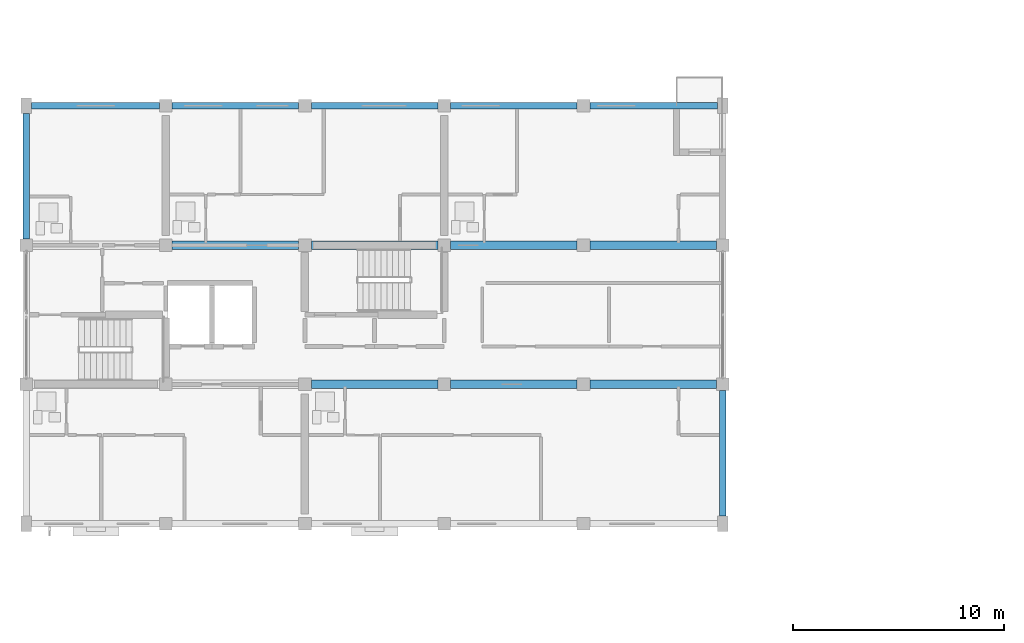
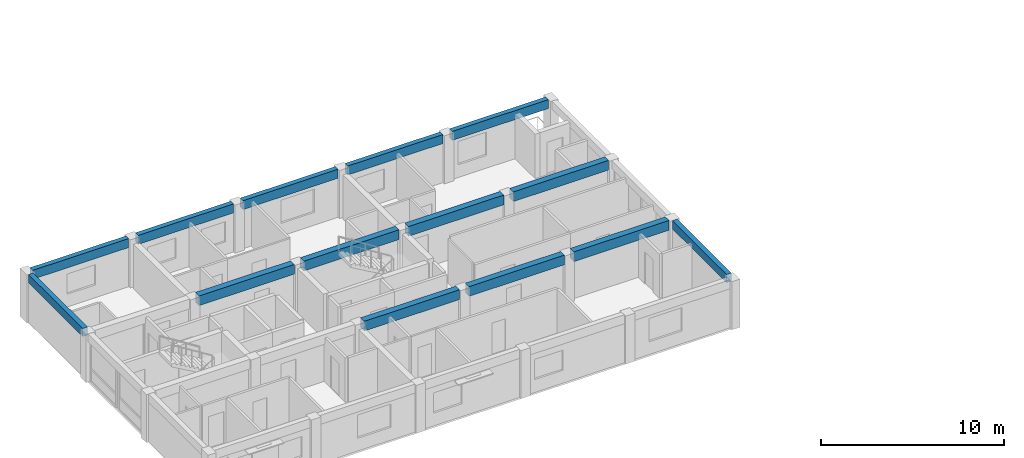
# One storey, part 16 of 52: 14 beams.
"""IFC4 building model written with IfcOpenShell, lengths in metres."""

from ifc_helpers import new_model, si_unit, direction, frame, origin, origin_2d, place, context, subcontext, project, spatial, rectangle, extrude, material, material_profile, profile_set, type_object, element, save


model = new_model("IFC4")

# Units and contexts
model_context = context("Model", 3, precision=1e-05, world=origin(), true_north=direction((0.0, 1.0)))
body_context = subcontext(model_context, "Body", "Model", "MODEL_VIEW")
ifc_project = project(units=[si_unit("LENGTHUNIT", "METRE"), si_unit("AREAUNIT", "SQUARE_METRE"), si_unit("VOLUMEUNIT", "CUBIC_METRE"), si_unit("PLANEANGLEUNIT", "RADIAN"), si_unit("MASSUNIT", "GRAM", prefix="KILO")], contexts=[model_context])

# Site, building, storey
site_placement = place(None, origin())
site = spatial("IfcSite", under=ifc_project, at=site_placement, CompositionType="ELEMENT")
building_placement = place(site_placement, origin())
building = spatial("IfcBuilding", under=site, at=building_placement, Name="Kernevlak Ridge Housing Community", CompositionType="ELEMENT")
storey_placement = place(building_placement, frame((0.0, 0.0, 11.60009765625)))
storey = spatial("IfcBuildingStorey", under=building, at=storey_placement, Name="L03", CompositionType="ELEMENT", Elevation=11.60009765625)

# Beams
ifc_material = material(Name="Concrete C35/45", Category="concrete")
ifc_material_profile_1 = material_profile(ifc_material, rectangle(XDim=0.39990234375, YDim=0.64990234375, at=origin_2d()), Name="RC 400x650")
ifc_profile_set_1 = profile_set([ifc_material_profile_1], Name="Concrete C35/45")
beam_type_1 = type_object("IfcBeamType", Name="B-03", PredefinedType="T_BEAM", material=ifc_profile_set_1)
for number, where, z_axis, x_axis, name in (
    (1, (29.10009765625, 82.60009765625, 2.875), (1.0, 0.0, 0.0), (0.0, 1.0, 0.0), "Beam B-03 L03 142"),
    (2, (35.699951171875, 82.60009765625, 2.875), (1.0, 0.0, 0.0), (0.0, 1.0, 0.0), "Beam B-03 L03 143"),
    (3, (42.300048828125, 82.60009765625, 2.875), (1.0, 0.0, 0.0), (0.0, 1.0, 0.0), "Beam B-03 L03 144"),
    (4, (22.5, 89.199951171875, 2.875), (1.0, 0.0, 0.0), (0.0, 1.0, 0.0), "Beam B-03 L03 146"),
    (5, (29.10009765625, 89.199951171875, 2.875), (1.0, 0.0, 0.0), (0.0, 1.0, 0.0), "Beam B-03 L03 147"),
    (6, (35.699951171875, 89.199951171875, 2.875), (1.0, 0.0, 0.0), (0.0, 1.0, 0.0), "Beam B-03 L03 148"),
    (7, (42.300048828125, 89.199951171875, 2.875), (1.0, 0.0, 0.0), (0.0, 1.0, 0.0), "Beam B-03 L03 149"),
):
    element("IfcBeam", number, at=place(storey_placement, frame(where, z_axis=z_axis, x_axis=x_axis)), inside=storey, type_object=beam_type_1, Name=name, PredefinedType="T_BEAM", context=body_context, shape_type="SweptSolid", body=[
        extrude(rectangle(XDim=0.39990234375, YDim=0.64990234375, at=origin_2d()), origin(), (0.0, 0.0, 1.0), 6.0),
    ])
ifc_material_profile_2 = material_profile(ifc_material, rectangle(XDim=0.300048828125, YDim=0.550048828125, at=origin_2d()), Name="RC 300x550")
ifc_profile_set_2 = profile_set([ifc_material_profile_2], Name="Concrete C35/45")
beam_type_2 = type_object("IfcBeamType", Name="SP-01", PredefinedType="SPANDREL", material=ifc_profile_set_2)
for number, where, z_axis, x_axis, name in (
    (8, (15.60009765625, 89.5, 2.9248046875), (0.0, 1.0, 0.0), (-1.0, 0.0, 0.0), "Beam SP-01 L03 157"),
    (9, (48.60009765625, 76.375, 2.9248046875), (0.0, 1.0, 0.0), (-1.0, 0.0, 0.0), "Beam SP-01 L03 158"),
):
    element("IfcBeam", number, at=place(storey_placement, frame(where, z_axis=z_axis, x_axis=x_axis)), inside=storey, type_object=beam_type_2, Name=name, PredefinedType="SPANDREL", context=body_context, shape_type="SweptSolid", body=[
        extrude(rectangle(XDim=0.300048828125, YDim=0.550048828125, at=origin_2d()), origin(), (0.0, 0.0, 1.0), 5.925048828125),
    ])
ifc_material_profile_3 = material_profile(ifc_material, rectangle(XDim=0.300048828125, YDim=0.60009765625, at=origin_2d()), Name="RC 300x600")
ifc_profile_set_3 = profile_set([ifc_material_profile_3], Name="Concrete C35/45")
beam_type_3 = type_object("IfcBeamType", Name="SP-02", PredefinedType="SPANDREL", material=ifc_profile_set_3)
beam_1_placement = place(storey_placement, frame((15.85009765625, 95.800048828125, 2.89990234375), z_axis=(1.0, 0.0, 0.0), x_axis=(0.0, 1.0, 0.0)))
element("IfcBeam", 10, at=beam_1_placement, inside=storey, type_object=beam_type_3, Name="Beam SP-02 L03 150", PredefinedType="SPANDREL", context=body_context, shape_type="SweptSolid", body=[
    extrude(rectangle(XDim=0.300048828125, YDim=0.60009765625, at=origin_2d()), origin(), (0.0, 0.0, 1.0), 6.0498046875),
])
for number, where, z_axis, x_axis, name in (
    (11, (22.5, 95.800048828125, 2.89990234375), (1.0, 0.0, 0.0), (0.0, 1.0, 0.0), "Beam SP-02 L03 151"),
    (12, (29.10009765625, 95.800048828125, 2.89990234375), (1.0, 0.0, 0.0), (0.0, 1.0, 0.0), "Beam SP-02 L03 152"),
    (13, (35.699951171875, 95.800048828125, 2.89990234375), (1.0, 0.0, 0.0), (0.0, 1.0, 0.0), "Beam SP-02 L03 153"),
):
    element("IfcBeam", number, at=place(storey_placement, frame(where, z_axis=z_axis, x_axis=x_axis)), inside=storey, type_object=beam_type_3, Name=name, PredefinedType="SPANDREL", context=body_context, shape_type="SweptSolid", body=[
        extrude(rectangle(XDim=0.300048828125, YDim=0.60009765625, at=origin_2d()), origin(), (0.0, 0.0, 1.0), 6.0),
    ])
beam_2_placement = place(storey_placement, frame((42.300048828125, 95.800048828125, 2.89990234375), z_axis=(1.0, 0.0, 0.0), x_axis=(0.0, 1.0, 0.0)))
element("IfcBeam", 14, at=beam_2_placement, inside=storey, type_object=beam_type_3, Name="Beam SP-02 L03 154", PredefinedType="SPANDREL", context=body_context, shape_type="SweptSolid", body=[
    extrude(rectangle(XDim=0.300048828125, YDim=0.60009765625, at=origin_2d()), origin(), (0.0, 0.0, 1.0), 6.050048828125),
])

save(model, "model.ifc")
